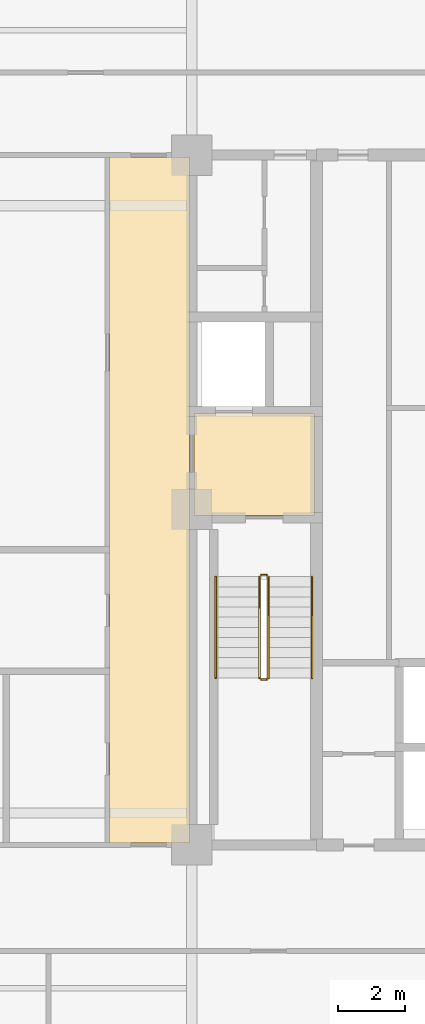
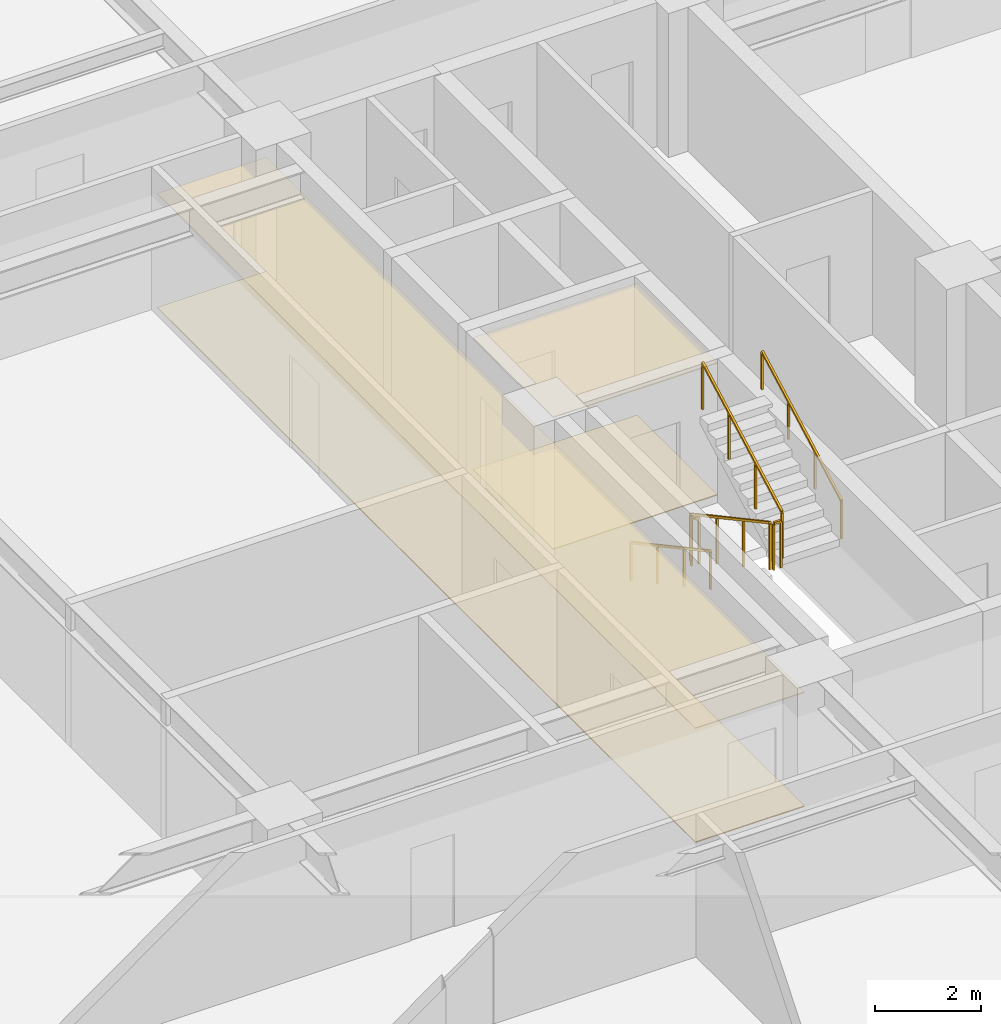
# One storey, part 13 of 14: 6 railings, 4 coverings.
"""IFC4 building model written with IfcOpenShell, lengths in metres."""

from ifc_helpers import new_model, si_unit, direction, frame, origin, origin_2d, place, context, subcontext, project, spatial, polyline, rectangle, outline, extrude, material, layer, layer_set, type_object, element, save


model = new_model("IFC4")

# Units and contexts
model_context = context("Model", 3, precision=1e-05, world=origin(), true_north=direction((0.0, 1.0)))
body_context = subcontext(model_context, "Body", "Model", "MODEL_VIEW")
ifc_project = project(units=[si_unit("LENGTHUNIT", "METRE"), si_unit("AREAUNIT", "SQUARE_METRE"), si_unit("VOLUMEUNIT", "CUBIC_METRE"), si_unit("PLANEANGLEUNIT", "RADIAN"), si_unit("MASSUNIT", "GRAM", prefix="KILO")], contexts=[model_context])

# Site, building, storey
site_placement = place(None, origin())
site = spatial("IfcSite", under=ifc_project, at=site_placement, CompositionType="ELEMENT")
building_placement = place(site_placement, origin())
building = spatial("IfcBuilding", under=site, at=building_placement, Name="Zulmaris Gate Convention Tower", CompositionType="ELEMENT")
storey_placement = place(building_placement, frame((0.0, 0.0, 41.47998046875)))
storey = spatial("IfcBuildingStorey", under=building, at=storey_placement, Name="L09", CompositionType="ELEMENT", Elevation=41.47998046875)

# Coverings
ifc_material_1 = material(Name="Mineral Fibre Acoustic Ceiling Tile")
ifc_layer_1 = layer(ifc_material_1, 0.02001953125, Name="Mineral Fibre Acoustic Ceiling Tile")
ifc_layer_set_1 = layer_set([ifc_layer_1], Name="Mineral Fibre Acoustic Ceiling Tile")
covering_type_1 = type_object("IfcCoveringType", Name="CLG-ACOUSTIC-600", PredefinedType="CEILING", material=ifc_layer_set_1)
covering_1_placement = place(storey_placement, frame((0.0, 0.0, 3.0400390625)))
element("IfcCovering", 1, at=covering_1_placement, inside=storey, type_object=covering_type_1, Name="CLG-L09-R08", PredefinedType="CEILING", context=body_context, shape_type="SweptSolid", body=[
    extrude(outline(polyline([(11.06005859375, -0.18994140625), (14.639892578125, -0.18994140625), (14.639892578125, 2.840087890625), (11.06005859375, 2.840087890625), (11.06005859375, -0.18994140625)])), origin(), (0.0, 0.0, 1.0), 0.02001953125),
])
covering_2_placement = place(storey_placement, frame((0.0, 0.0, 2.6279296875)))
element("IfcCovering", 2, at=covering_2_placement, inside=storey, type_object=covering_type_1, Name="CLG-L09-R36", PredefinedType="CEILING", context=body_context, shape_type="SweptSolid", body=[
    extrude(outline(polyline([(8.56005859375, -9.889892578125), (10.93994140625, -9.889892578125), (10.93994140625, 10.43994140625), (8.56005859375, 10.43994140625), (8.56005859375, -9.889892578125)])), origin(), (0.0, 0.0, 1.0), 0.02001953125),
])
ifc_material_2 = material(Name="Woven Acoustic Wool Carpet Tile")
ifc_layer_2 = layer(ifc_material_2, 0.02001953125, Name="Woven Acoustic Wool Carpet Tile")
ifc_layer_set_2 = layer_set([ifc_layer_2], Name="Woven Acoustic Wool Carpet Tile")
covering_type_2 = type_object("IfcCoveringType", Name="FLR-CARPET-12", PredefinedType="FLOORING", material=ifc_layer_set_2)
covering_3_placement = place(storey_placement, origin())
element("IfcCovering", 3, at=covering_3_placement, inside=storey, type_object=covering_type_2, Name="FLR-L09-R08", PredefinedType="FLOORING", context=body_context, shape_type="SweptSolid", body=[
    extrude(outline(polyline([(11.06005859375, -0.18994140625), (14.639892578125, -0.18994140625), (14.639892578125, 2.840087890625), (11.06005859375, 2.840087890625), (11.06005859375, -0.18994140625)])), origin(), (0.0, 0.0, 1.0), 0.02001953125),
])
covering_4_placement = place(storey_placement, origin())
element("IfcCovering", 4, at=covering_4_placement, inside=storey, type_object=covering_type_2, Name="FLR-L09-R36", PredefinedType="FLOORING", context=body_context, shape_type="SweptSolid", body=[
    extrude(outline(polyline([(8.56005859375, -9.889892578125), (10.93994140625, -9.889892578125), (10.93994140625, 10.43994140625), (8.56005859375, 10.43994140625), (8.56005859375, -9.889892578125)])), origin(), (0.0, 0.0, 1.0), 0.02001953125),
])

# Railings
ifc_material_3 = material(Name="Painted Galvanised Steel", Category="steel")
railing_type_1 = type_object("IfcRailingType", Name="RL-STG-1150", PredefinedType="GUARDRAIL", material=ifc_material_3)
railing_1_placement = place(storey_placement, frame((13.010009765625, -2.0, 0.162353515625)))
element("IfcRailing", 5, at=railing_1_placement, inside=storey, type_object=railing_type_1, Name="L09 ST-2 stair guard 1", PredefinedType="GUARDRAIL", context=body_context, shape_type="SweptSolid", body=[
    extrude(rectangle(XDim=0.048095703125, YDim=0.048095703125, at=origin_2d()), frame((0.0, 0.0, 1.076171875), z_axis=(0.0, -0.879591569277, 0.475729619907), x_axis=(1.0, 0.0, 0.0)), (0.0, 0.0, 1.0), 3.41064453125),
    extrude(rectangle(XDim=0.0419921875, YDim=0.0419921875, at=origin_2d()), origin(), (0.0, 0.0, 1.0), 1.052001953125),
    extrude(rectangle(XDim=0.0419921875, YDim=0.0419921875, at=origin_2d()), frame((0.0, -1.0, 0.540771484375)), (0.0, 0.0, 1.0), 1.052001953125),
    extrude(rectangle(XDim=0.0419921875, YDim=0.0419921875, at=origin_2d()), frame((0.0, -2.0, 1.081787109375)), (0.0, 0.0, 1.0), 1.052001953125),
    extrude(rectangle(XDim=0.0419921875, YDim=0.0419921875, at=origin_2d()), frame((0.0, -3.0, 1.62255859375)), (0.0, 0.0, 1.0), 1.052001953125),
])
railing_2_placement = place(storey_placement, frame((13.06005859375, -5.050048828125, 1.784912109375)))
element("IfcRailing", 6, at=railing_2_placement, inside=storey, type_object=railing_type_1, Name="L09 ST-2 stair guard 2", PredefinedType="GUARDRAIL", context=body_context, shape_type="SweptSolid", body=[
    extrude(rectangle(XDim=0.048095703125, YDim=0.048095703125, at=origin_2d()), frame((0.0, 0.0, 1.076171875), z_axis=(1.0, 0.0, 0.0), x_axis=(0.0, 1.0, 0.0)), (0.0, 0.0, 1.0), 0.159912109375),
    extrude(rectangle(XDim=0.0419921875, YDim=0.0419921875, at=origin_2d()), origin(), (0.0, 0.0, 1.0), 1.052001953125),
    extrude(rectangle(XDim=0.0419921875, YDim=0.0419921875, at=origin_2d()), frame((0.159912109375, 0.0, 0.0)), (0.0, 0.0, 1.0), 1.052001953125),
])
railing_3_placement = place(storey_placement, frame((13.27001953125, -5.0, 1.947265625)))
element("IfcRailing", 7, at=railing_3_placement, inside=storey, type_object=railing_type_1, Name="L09 ST-2 stair guard 3", PredefinedType="GUARDRAIL", context=body_context, shape_type="SweptSolid", body=[
    extrude(rectangle(XDim=0.048095703125, YDim=0.048095703125, at=origin_2d()), frame((0.0, 0.0, 1.076171875), z_axis=(0.0, 0.8795616155, 0.475784998228), x_axis=(-1.0, 0.0, 0.0)), (0.0, 0.0, 1.0), 3.410888671875),
    extrude(rectangle(XDim=0.0419921875, YDim=0.0419921875, at=origin_2d()), origin(), (0.0, 0.0, 1.0), 1.052001953125),
    extrude(rectangle(XDim=0.0419921875, YDim=0.0419921875, at=origin_2d()), frame((0.0, 1.0, 0.541015625)), (0.0, 0.0, 1.0), 1.052001953125),
    extrude(rectangle(XDim=0.0419921875, YDim=0.0419921875, at=origin_2d()), frame((0.0, 2.0, 1.081787109375)), (0.0, 0.0, 1.0), 1.052001953125),
    extrude(rectangle(XDim=0.0419921875, YDim=0.0419921875, at=origin_2d()), frame((0.0, 3.0, 1.622802734375)), (0.0, 0.0, 1.0), 1.052001953125),
])
railing_4_placement = place(storey_placement, frame((13.06005859375, -1.949951171875, 0.0)))
element("IfcRailing", 8, at=railing_4_placement, inside=storey, type_object=railing_type_1, Name="L09 ST-2 stair guard 4", PredefinedType="GUARDRAIL", context=body_context, shape_type="SweptSolid", body=[
    extrude(rectangle(XDim=0.048095703125, YDim=0.048095703125, at=origin_2d()), frame((0.0, 0.0, 1.076171875), z_axis=(1.0, 0.0, 0.0), x_axis=(0.0, 1.0, 0.0)), (0.0, 0.0, 1.0), 0.159912109375),
    extrude(rectangle(XDim=0.0419921875, YDim=0.0419921875, at=origin_2d()), origin(), (0.0, 0.0, 1.0), 1.052001953125),
    extrude(rectangle(XDim=0.0419921875, YDim=0.0419921875, at=origin_2d()), frame((0.159912109375, 0.0, 0.0)), (0.0, 0.0, 1.0), 1.052001953125),
])
ifc_material_4 = material(Name="Brushed Stainless Steel", Category="steel")
railing_type_2 = type_object("IfcRailingType", Name="RL-STH-900", PredefinedType="HANDRAIL", material=ifc_material_4)
railing_5_placement = place(storey_placement, frame((11.7099609375, -2.0, 0.162353515625)))
element("IfcRailing", 9, at=railing_5_placement, inside=storey, type_object=railing_type_2, Name="L09 ST-2 stair handrail 1", PredefinedType="HANDRAIL", context=body_context, shape_type="SweptSolid", body=[
    extrude(rectangle(XDim=0.048095703125, YDim=0.048095703125, at=origin_2d()), frame((0.0, 0.0, 0.8759765625), z_axis=(0.0, -0.879591569277, 0.475729619907), x_axis=(1.0, 0.0, 0.0)), (0.0, 0.0, 1.0), 3.41064453125),
    extrude(rectangle(XDim=0.0419921875, YDim=0.0419921875, at=origin_2d()), origin(), (0.0, 0.0, 1.0), 0.851806640625),
    extrude(rectangle(XDim=0.0419921875, YDim=0.0419921875, at=origin_2d()), frame((0.0, -1.0, 0.540771484375)), (0.0, 0.0, 1.0), 0.851806640625),
    extrude(rectangle(XDim=0.0419921875, YDim=0.0419921875, at=origin_2d()), frame((0.0, -2.0, 1.081787109375)), (0.0, 0.0, 1.0), 0.851806640625),
    extrude(rectangle(XDim=0.0419921875, YDim=0.0419921875, at=origin_2d()), frame((0.0, -3.0, 1.62255859375)), (0.0, 0.0, 1.0), 0.851806640625),
])
railing_6_placement = place(storey_placement, frame((14.570068359375, -5.0, 1.947265625)))
element("IfcRailing", 10, at=railing_6_placement, inside=storey, type_object=railing_type_2, Name="L09 ST-2 stair handrail 2", PredefinedType="HANDRAIL", context=body_context, shape_type="SweptSolid", body=[
    extrude(rectangle(XDim=0.048095703125, YDim=0.048095703125, at=origin_2d()), frame((0.0, 0.0, 0.8759765625), z_axis=(0.0, 0.8795616155, 0.475784998228), x_axis=(-1.0, 0.0, 0.0)), (0.0, 0.0, 1.0), 3.410888671875),
    extrude(rectangle(XDim=0.0419921875, YDim=0.0419921875, at=origin_2d()), origin(), (0.0, 0.0, 1.0), 0.851806640625),
    extrude(rectangle(XDim=0.0419921875, YDim=0.0419921875, at=origin_2d()), frame((0.0, 1.0, 0.541015625)), (0.0, 0.0, 1.0), 0.851806640625),
    extrude(rectangle(XDim=0.0419921875, YDim=0.0419921875, at=origin_2d()), frame((0.0, 2.0, 1.081787109375)), (0.0, 0.0, 1.0), 0.851806640625),
    extrude(rectangle(XDim=0.0419921875, YDim=0.0419921875, at=origin_2d()), frame((0.0, 3.0, 1.622802734375)), (0.0, 0.0, 1.0), 0.851806640625),
])

save(model, "model.ifc")
